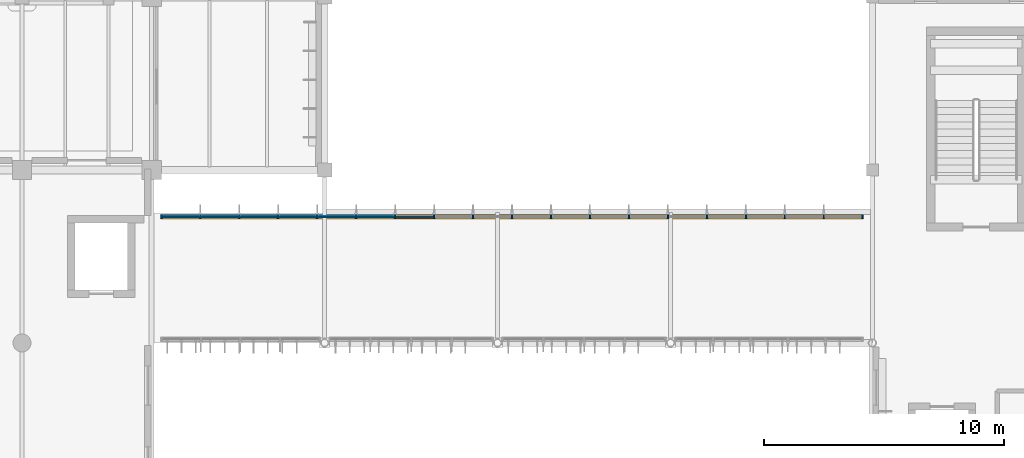
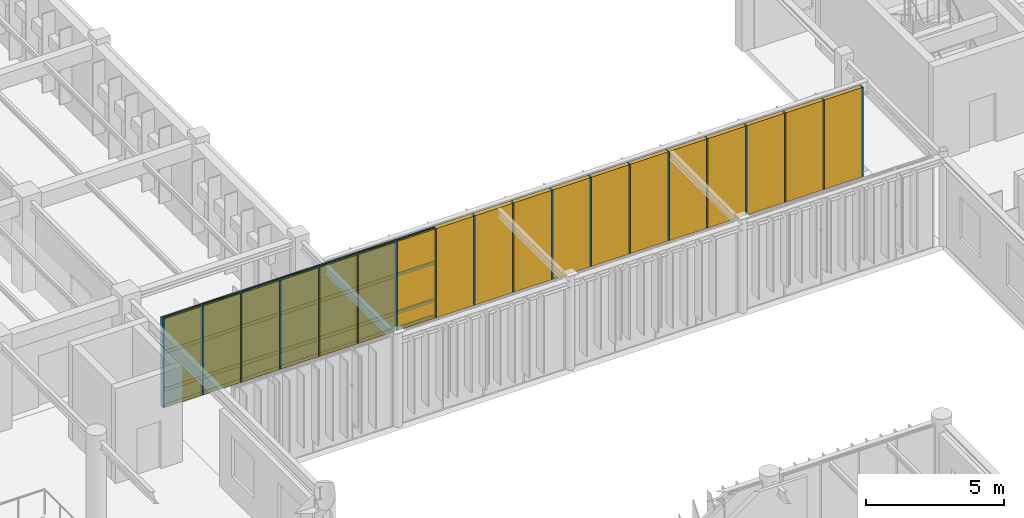
# One storey, part 91 of 122: 47 members, 18 plates, 1 curtain wall.
"""IFC4 building model written with IfcOpenShell, lengths in metres."""

from ifc_helpers import new_model, si_unit, direction, frame, frame_2d, origin, origin_2d, place, context, subcontext, project, spatial, rectangle, extrude, material, layer, layer_set, material_profile, profile_set, type_object, element, aggregate, save


model = new_model("IFC4")

# Units and contexts
model_context = context("Model", 3, precision=1e-05, world=origin(), true_north=direction((0.0, 1.0)))
body_context = subcontext(model_context, "Body", "Model", "MODEL_VIEW")
ifc_project = project(units=[si_unit("LENGTHUNIT", "METRE"), si_unit("AREAUNIT", "SQUARE_METRE"), si_unit("VOLUMEUNIT", "CUBIC_METRE"), si_unit("PLANEANGLEUNIT", "RADIAN"), si_unit("MASSUNIT", "GRAM", prefix="KILO")], contexts=[model_context])

# Member
ifc_material_1 = material(Name="Anodised Bronze Aluminium 6063-T6", Category="aluminium")
ifc_material_profile_1 = material_profile(ifc_material_1, rectangle(XDim=0.06005859375, YDim=0.179931640625, at=origin_2d()), Name="ALU MULLION 60x180")
ifc_profile_set_1 = profile_set([ifc_material_profile_1], Name="Anodised Bronze Aluminium 6063-T6")
member_type_1 = type_object("IfcMemberType", Name="Curtain-Wall Primary Mullion 60x180", PredefinedType="MULLION", material=ifc_profile_set_1)
site_placement = place(None, origin())
building_placement = place(site_placement, origin())
storey_placement = place(building_placement, frame((0.0, 0.0, 4.800048828125)))
member_1_placement = place(storey_placement, frame((95.800048828125, 49.85009765625, 0.0), z_axis=(0.0, 0.0, 1.0), x_axis=(1.0, 0.0, 0.0)))
member_1 = element("IfcMember", 1, at=member_1_placement, type_object=member_type_1, Name="Mullion CWM-01 CW-ELNK-N-L01-M01", PredefinedType="MULLION", context=body_context, shape_type="SweptSolid", body=[
    extrude(rectangle(XDim=0.06005859375, YDim=0.179931640625, at=origin_2d()), origin(), (0.0, 0.0, 1.0), 3.93994140625),
])

member_2_placement = place(storey_placement, frame((97.422119140625, 49.85009765625, 0.0), z_axis=(0.0, 0.0, 1.0), x_axis=(1.0, 0.0, 0.0)))
member_2 = element("IfcMember", 2, at=member_2_placement, type_object=member_type_1, Name="Mullion CWM-01 CW-ELNK-N-L01-M02", PredefinedType="MULLION", context=body_context, shape_type="SweptSolid", body=[
    extrude(rectangle(XDim=0.06005859375, YDim=0.179931640625, at=origin_2d()), origin(), (0.0, 0.0, 1.0), 3.93994140625),
])

member_3_placement = place(storey_placement, frame((99.04443359375, 49.85009765625, 0.0), z_axis=(0.0, 0.0, 1.0), x_axis=(1.0, 0.0, 0.0)))
member_3 = element("IfcMember", 3, at=member_3_placement, type_object=member_type_1, Name="Mullion CWM-01 CW-ELNK-N-L01-M03", PredefinedType="MULLION", context=body_context, shape_type="SweptSolid", body=[
    extrude(rectangle(XDim=0.06005859375, YDim=0.179931640625, at=origin_2d()), origin(), (0.0, 0.0, 1.0), 3.93994140625),
])

member_4_placement = place(storey_placement, frame((100.666748046875, 49.85009765625, 0.0), z_axis=(0.0, 0.0, 1.0), x_axis=(1.0, 0.0, 0.0)))
member_4 = element("IfcMember", 4, at=member_4_placement, type_object=member_type_1, Name="Mullion CWM-01 CW-ELNK-N-L01-M04", PredefinedType="MULLION", context=body_context, shape_type="SweptSolid", body=[
    extrude(rectangle(XDim=0.06005859375, YDim=0.179931640625, at=origin_2d()), origin(), (0.0, 0.0, 1.0), 3.93994140625),
])

member_5_placement = place(storey_placement, frame((102.288818359375, 49.85009765625, 0.0), z_axis=(0.0, 0.0, 1.0), x_axis=(1.0, 0.0, 0.0)))
member_5 = element("IfcMember", 5, at=member_5_placement, type_object=member_type_1, Name="Mullion CWM-01 CW-ELNK-N-L01-M05", PredefinedType="MULLION", context=body_context, shape_type="SweptSolid", body=[
    extrude(rectangle(XDim=0.06005859375, YDim=0.179931640625, at=origin_2d()), origin(), (0.0, 0.0, 1.0), 3.93994140625),
])

member_6_placement = place(storey_placement, frame((103.9111328125, 49.85009765625, 0.0), z_axis=(0.0, 0.0, 1.0), x_axis=(1.0, 0.0, 0.0)))
member_6 = element("IfcMember", 6, at=member_6_placement, type_object=member_type_1, Name="Mullion CWM-01 CW-ELNK-N-L01-M06", PredefinedType="MULLION", context=body_context, shape_type="SweptSolid", body=[
    extrude(rectangle(XDim=0.06005859375, YDim=0.179931640625, at=origin_2d()), origin(), (0.0, 0.0, 1.0), 3.93994140625),
])

member_7_placement = place(storey_placement, frame((105.533203125, 49.85009765625, 0.0), z_axis=(0.0, 0.0, 1.0), x_axis=(1.0, 0.0, 0.0)))
member_7 = element("IfcMember", 7, at=member_7_placement, type_object=member_type_1, Name="Mullion CWM-01 CW-ELNK-N-L01-M07", PredefinedType="MULLION", context=body_context, shape_type="SweptSolid", body=[
    extrude(rectangle(XDim=0.06005859375, YDim=0.179931640625, at=origin_2d()), origin(), (0.0, 0.0, 1.0), 3.93994140625),
])

member_8_placement = place(storey_placement, frame((107.155517578125, 49.85009765625, 0.0), z_axis=(0.0, 0.0, 1.0), x_axis=(1.0, 0.0, 0.0)))
member_8 = element("IfcMember", 8, at=member_8_placement, type_object=member_type_1, Name="Mullion CWM-01 CW-ELNK-N-L01-M08", PredefinedType="MULLION", context=body_context, shape_type="SweptSolid", body=[
    extrude(rectangle(XDim=0.06005859375, YDim=0.179931640625, at=origin_2d()), origin(), (0.0, 0.0, 1.0), 3.93994140625),
])

member_9_placement = place(storey_placement, frame((108.77783203125, 49.85009765625, 0.0), z_axis=(0.0, 0.0, 1.0), x_axis=(1.0, 0.0, 0.0)))
member_9 = element("IfcMember", 9, at=member_9_placement, type_object=member_type_1, Name="Mullion CWM-01 CW-ELNK-N-L01-M09", PredefinedType="MULLION", context=body_context, shape_type="SweptSolid", body=[
    extrude(rectangle(XDim=0.06005859375, YDim=0.179931640625, at=origin_2d()), origin(), (0.0, 0.0, 1.0), 3.93994140625),
])

member_10_placement = place(storey_placement, frame((110.39990234375, 49.85009765625, 0.0), z_axis=(0.0, 0.0, 1.0), x_axis=(1.0, 0.0, 0.0)))
member_10 = element("IfcMember", 10, at=member_10_placement, type_object=member_type_1, Name="Mullion CWM-01 CW-ELNK-N-L01-M10", PredefinedType="MULLION", context=body_context, shape_type="SweptSolid", body=[
    extrude(rectangle(XDim=0.06005859375, YDim=0.179931640625, at=origin_2d()), origin(), (0.0, 0.0, 1.0), 3.93994140625),
])

member_11_placement = place(storey_placement, frame((112.022216796875, 49.85009765625, 0.0), z_axis=(0.0, 0.0, 1.0), x_axis=(1.0, 0.0, 0.0)))
member_11 = element("IfcMember", 11, at=member_11_placement, type_object=member_type_1, Name="Mullion CWM-01 CW-ELNK-N-L01-M11", PredefinedType="MULLION", context=body_context, shape_type="SweptSolid", body=[
    extrude(rectangle(XDim=0.06005859375, YDim=0.179931640625, at=origin_2d()), origin(), (0.0, 0.0, 1.0), 3.93994140625),
])

member_12_placement = place(storey_placement, frame((113.644287109375, 49.85009765625, 0.0), z_axis=(0.0, 0.0, 1.0), x_axis=(1.0, 0.0, 0.0)))
member_12 = element("IfcMember", 12, at=member_12_placement, type_object=member_type_1, Name="Mullion CWM-01 CW-ELNK-N-L01-M12", PredefinedType="MULLION", context=body_context, shape_type="SweptSolid", body=[
    extrude(rectangle(XDim=0.06005859375, YDim=0.179931640625, at=origin_2d()), origin(), (0.0, 0.0, 1.0), 3.93994140625),
])

member_13_placement = place(storey_placement, frame((115.2666015625, 49.85009765625, 0.0), z_axis=(0.0, 0.0, 1.0), x_axis=(1.0, 0.0, 0.0)))
member_13 = element("IfcMember", 13, at=member_13_placement, type_object=member_type_1, Name="Mullion CWM-01 CW-ELNK-N-L01-M13", PredefinedType="MULLION", context=body_context, shape_type="SweptSolid", body=[
    extrude(rectangle(XDim=0.06005859375, YDim=0.179931640625, at=origin_2d()), origin(), (0.0, 0.0, 1.0), 3.93994140625),
])

member_14_placement = place(storey_placement, frame((116.888916015625, 49.85009765625, 0.0), z_axis=(0.0, 0.0, 1.0), x_axis=(1.0, 0.0, 0.0)))
member_14 = element("IfcMember", 14, at=member_14_placement, type_object=member_type_1, Name="Mullion CWM-01 CW-ELNK-N-L01-M14", PredefinedType="MULLION", context=body_context, shape_type="SweptSolid", body=[
    extrude(rectangle(XDim=0.06005859375, YDim=0.179931640625, at=origin_2d()), origin(), (0.0, 0.0, 1.0), 3.93994140625),
])

member_15_placement = place(storey_placement, frame((118.510986328125, 49.85009765625, 0.0), z_axis=(0.0, 0.0, 1.0), x_axis=(1.0, 0.0, 0.0)))
member_15 = element("IfcMember", 15, at=member_15_placement, type_object=member_type_1, Name="Mullion CWM-01 CW-ELNK-N-L01-M15", PredefinedType="MULLION", context=body_context, shape_type="SweptSolid", body=[
    extrude(rectangle(XDim=0.06005859375, YDim=0.179931640625, at=origin_2d()), origin(), (0.0, 0.0, 1.0), 3.93994140625),
])

member_16_placement = place(storey_placement, frame((120.13330078125, 49.85009765625, 0.0), z_axis=(0.0, 0.0, 1.0), x_axis=(1.0, 0.0, 0.0)))
member_16 = element("IfcMember", 16, at=member_16_placement, type_object=member_type_1, Name="Mullion CWM-01 CW-ELNK-N-L01-M16", PredefinedType="MULLION", context=body_context, shape_type="SweptSolid", body=[
    extrude(rectangle(XDim=0.06005859375, YDim=0.179931640625, at=origin_2d()), origin(), (0.0, 0.0, 1.0), 3.93994140625),
])

member_17_placement = place(storey_placement, frame((121.755615234375, 49.85009765625, 0.0), z_axis=(0.0, 0.0, 1.0), x_axis=(1.0, 0.0, 0.0)))
member_17 = element("IfcMember", 17, at=member_17_placement, type_object=member_type_1, Name="Mullion CWM-01 CW-ELNK-N-L01-M17", PredefinedType="MULLION", context=body_context, shape_type="SweptSolid", body=[
    extrude(rectangle(XDim=0.06005859375, YDim=0.179931640625, at=origin_2d()), origin(), (0.0, 0.0, 1.0), 3.93994140625),
])

member_18_placement = place(storey_placement, frame((123.377685546875, 49.85009765625, 0.0), z_axis=(0.0, 0.0, 1.0), x_axis=(1.0, 0.0, 0.0)))
member_18 = element("IfcMember", 18, at=member_18_placement, type_object=member_type_1, Name="Mullion CWM-01 CW-ELNK-N-L01-M18", PredefinedType="MULLION", context=body_context, shape_type="SweptSolid", body=[
    extrude(rectangle(XDim=0.06005859375, YDim=0.179931640625, at=origin_2d()), origin(), (0.0, 0.0, 1.0), 3.93994140625),
])

member_19_placement = place(storey_placement, frame((125.0, 49.85009765625, 0.0), z_axis=(0.0, 0.0, 1.0), x_axis=(1.0, 0.0, 0.0)))
member_19 = element("IfcMember", 19, at=member_19_placement, type_object=member_type_1, Name="Mullion CWM-01 CW-ELNK-N-L01-M19", PredefinedType="MULLION", context=body_context, shape_type="SweptSolid", body=[
    extrude(rectangle(XDim=0.06005859375, YDim=0.179931640625, at=origin_2d()), origin(), (0.0, 0.0, 1.0), 3.93994140625),
])

ifc_material_profile_2 = material_profile(ifc_material_1, rectangle(XDim=0.06005859375, YDim=0.139892578125, at=origin_2d()), Name="ALU TRANSOM 60x140")
ifc_profile_set_2 = profile_set([ifc_material_profile_2], Name="Anodised Bronze Aluminium 6063-T6")
member_type_2 = type_object("IfcMemberType", Name="Curtain-Wall Transom 60x140", PredefinedType="USERDEFINED", material=ifc_profile_set_2)
member_20_placement = place(storey_placement, frame((95.8349609375, 49.85009765625, 0.0400390625), z_axis=(1.0, 0.0, 0.0), x_axis=(0.0, 1.0, 0.0)))
member_20 = element("IfcMember", 20, at=member_20_placement, type_object=member_type_2, Name="Transom CWT-01 CW-ELNK-N-L01-T01.1", ObjectType="TRANSOM", PredefinedType="USERDEFINED", context=body_context, shape_type="SweptSolid", body=[
    extrude(rectangle(XDim=0.06005859375, YDim=0.139892578125, at=origin_2d()), origin(), (0.0, 0.0, 1.0), 1.55224609375),
])

member_21_placement = place(storey_placement, frame((95.8349609375, 49.85009765625, 0.75), z_axis=(1.0, 0.0, 0.0), x_axis=(0.0, 1.0, 0.0)))
member_21 = element("IfcMember", 21, at=member_21_placement, type_object=member_type_2, Name="Transom CWT-01 CW-ELNK-N-L01-T01.2", ObjectType="TRANSOM", PredefinedType="USERDEFINED", context=body_context, shape_type="SweptSolid", body=[
    extrude(rectangle(XDim=0.06005859375, YDim=0.139892578125, at=origin_2d()), origin(), (0.0, 0.0, 1.0), 1.55224609375),
])

member_22_placement = place(storey_placement, frame((95.8349609375, 49.85009765625, 2.40869140625), z_axis=(1.0, 0.0, 0.0), x_axis=(0.0, 1.0, 0.0)))
member_22 = element("IfcMember", 22, at=member_22_placement, type_object=member_type_2, Name="Transom CWT-01 CW-ELNK-N-L01-T01.3", ObjectType="TRANSOM", PredefinedType="USERDEFINED", context=body_context, shape_type="SweptSolid", body=[
    extrude(rectangle(XDim=0.06005859375, YDim=0.139892578125, at=origin_2d()), origin(), (0.0, 0.0, 1.0), 1.55224609375),
])

member_23_placement = place(storey_placement, frame((95.8349609375, 49.85009765625, 3.89990234375), z_axis=(1.0, 0.0, 0.0), x_axis=(0.0, 1.0, 0.0)))
member_23 = element("IfcMember", 23, at=member_23_placement, type_object=member_type_2, Name="Transom CWT-01 CW-ELNK-N-L01-T01.4", ObjectType="TRANSOM", PredefinedType="USERDEFINED", context=body_context, shape_type="SweptSolid", body=[
    extrude(rectangle(XDim=0.06005859375, YDim=0.139892578125, at=origin_2d()), origin(), (0.0, 0.0, 1.0), 1.55224609375),
])

member_24_placement = place(storey_placement, frame((97.457275390625, 49.85009765625, 0.0400390625), z_axis=(1.0, 0.0, 0.0), x_axis=(0.0, 1.0, 0.0)))
member_24 = element("IfcMember", 24, at=member_24_placement, type_object=member_type_2, Name="Transom CWT-01 CW-ELNK-N-L01-T02.1", ObjectType="TRANSOM", PredefinedType="USERDEFINED", context=body_context, shape_type="SweptSolid", body=[
    extrude(rectangle(XDim=0.06005859375, YDim=0.139892578125, at=origin_2d()), origin(), (0.0, 0.0, 1.0), 1.55224609375),
])

member_25_placement = place(storey_placement, frame((97.457275390625, 49.85009765625, 0.75), z_axis=(1.0, 0.0, 0.0), x_axis=(0.0, 1.0, 0.0)))
member_25 = element("IfcMember", 25, at=member_25_placement, type_object=member_type_2, Name="Transom CWT-01 CW-ELNK-N-L01-T02.2", ObjectType="TRANSOM", PredefinedType="USERDEFINED", context=body_context, shape_type="SweptSolid", body=[
    extrude(rectangle(XDim=0.06005859375, YDim=0.139892578125, at=origin_2d()), origin(), (0.0, 0.0, 1.0), 1.55224609375),
])

member_26_placement = place(storey_placement, frame((97.457275390625, 49.85009765625, 2.40869140625), z_axis=(1.0, 0.0, 0.0), x_axis=(0.0, 1.0, 0.0)))
member_26 = element("IfcMember", 26, at=member_26_placement, type_object=member_type_2, Name="Transom CWT-01 CW-ELNK-N-L01-T02.3", ObjectType="TRANSOM", PredefinedType="USERDEFINED", context=body_context, shape_type="SweptSolid", body=[
    extrude(rectangle(XDim=0.06005859375, YDim=0.139892578125, at=origin_2d()), origin(), (0.0, 0.0, 1.0), 1.55224609375),
])

member_27_placement = place(storey_placement, frame((97.457275390625, 49.85009765625, 3.89990234375), z_axis=(1.0, 0.0, 0.0), x_axis=(0.0, 1.0, 0.0)))
member_27 = element("IfcMember", 27, at=member_27_placement, type_object=member_type_2, Name="Transom CWT-01 CW-ELNK-N-L01-T02.4", ObjectType="TRANSOM", PredefinedType="USERDEFINED", context=body_context, shape_type="SweptSolid", body=[
    extrude(rectangle(XDim=0.06005859375, YDim=0.139892578125, at=origin_2d()), origin(), (0.0, 0.0, 1.0), 1.55224609375),
])

member_28_placement = place(storey_placement, frame((99.079345703125, 49.85009765625, 0.0400390625), z_axis=(1.0, 0.0, 0.0), x_axis=(0.0, 1.0, 0.0)))
member_28 = element("IfcMember", 28, at=member_28_placement, type_object=member_type_2, Name="Transom CWT-01 CW-ELNK-N-L01-T03.1", ObjectType="TRANSOM", PredefinedType="USERDEFINED", context=body_context, shape_type="SweptSolid", body=[
    extrude(rectangle(XDim=0.06005859375, YDim=0.139892578125, at=origin_2d()), origin(), (0.0, 0.0, 1.0), 1.55224609375),
])

member_29_placement = place(storey_placement, frame((99.079345703125, 49.85009765625, 0.75), z_axis=(1.0, 0.0, 0.0), x_axis=(0.0, 1.0, 0.0)))
member_29 = element("IfcMember", 29, at=member_29_placement, type_object=member_type_2, Name="Transom CWT-01 CW-ELNK-N-L01-T03.2", ObjectType="TRANSOM", PredefinedType="USERDEFINED", context=body_context, shape_type="SweptSolid", body=[
    extrude(rectangle(XDim=0.06005859375, YDim=0.139892578125, at=origin_2d()), origin(), (0.0, 0.0, 1.0), 1.55224609375),
])

member_30_placement = place(storey_placement, frame((99.079345703125, 49.85009765625, 2.40869140625), z_axis=(1.0, 0.0, 0.0), x_axis=(0.0, 1.0, 0.0)))
member_30 = element("IfcMember", 30, at=member_30_placement, type_object=member_type_2, Name="Transom CWT-01 CW-ELNK-N-L01-T03.3", ObjectType="TRANSOM", PredefinedType="USERDEFINED", context=body_context, shape_type="SweptSolid", body=[
    extrude(rectangle(XDim=0.06005859375, YDim=0.139892578125, at=origin_2d()), origin(), (0.0, 0.0, 1.0), 1.55224609375),
])

member_31_placement = place(storey_placement, frame((99.079345703125, 49.85009765625, 3.89990234375), z_axis=(1.0, 0.0, 0.0), x_axis=(0.0, 1.0, 0.0)))
member_31 = element("IfcMember", 31, at=member_31_placement, type_object=member_type_2, Name="Transom CWT-01 CW-ELNK-N-L01-T03.4", ObjectType="TRANSOM", PredefinedType="USERDEFINED", context=body_context, shape_type="SweptSolid", body=[
    extrude(rectangle(XDim=0.06005859375, YDim=0.139892578125, at=origin_2d()), origin(), (0.0, 0.0, 1.0), 1.55224609375),
])

member_32_placement = place(storey_placement, frame((100.70166015625, 49.85009765625, 0.0400390625), z_axis=(1.0, 0.0, 0.0), x_axis=(0.0, 1.0, 0.0)))
member_32 = element("IfcMember", 32, at=member_32_placement, type_object=member_type_2, Name="Transom CWT-01 CW-ELNK-N-L01-T04.1", ObjectType="TRANSOM", PredefinedType="USERDEFINED", context=body_context, shape_type="SweptSolid", body=[
    extrude(rectangle(XDim=0.06005859375, YDim=0.139892578125, at=origin_2d()), origin(), (0.0, 0.0, 1.0), 1.55224609375),
])

member_33_placement = place(storey_placement, frame((100.70166015625, 49.85009765625, 0.75), z_axis=(1.0, 0.0, 0.0), x_axis=(0.0, 1.0, 0.0)))
member_33 = element("IfcMember", 33, at=member_33_placement, type_object=member_type_2, Name="Transom CWT-01 CW-ELNK-N-L01-T04.2", ObjectType="TRANSOM", PredefinedType="USERDEFINED", context=body_context, shape_type="SweptSolid", body=[
    extrude(rectangle(XDim=0.06005859375, YDim=0.139892578125, at=origin_2d()), origin(), (0.0, 0.0, 1.0), 1.55224609375),
])

member_34_placement = place(storey_placement, frame((100.70166015625, 49.85009765625, 2.40869140625), z_axis=(1.0, 0.0, 0.0), x_axis=(0.0, 1.0, 0.0)))
member_34 = element("IfcMember", 34, at=member_34_placement, type_object=member_type_2, Name="Transom CWT-01 CW-ELNK-N-L01-T04.3", ObjectType="TRANSOM", PredefinedType="USERDEFINED", context=body_context, shape_type="SweptSolid", body=[
    extrude(rectangle(XDim=0.06005859375, YDim=0.139892578125, at=origin_2d()), origin(), (0.0, 0.0, 1.0), 1.55224609375),
])

member_35_placement = place(storey_placement, frame((100.70166015625, 49.85009765625, 3.89990234375), z_axis=(1.0, 0.0, 0.0), x_axis=(0.0, 1.0, 0.0)))
member_35 = element("IfcMember", 35, at=member_35_placement, type_object=member_type_2, Name="Transom CWT-01 CW-ELNK-N-L01-T04.4", ObjectType="TRANSOM", PredefinedType="USERDEFINED", context=body_context, shape_type="SweptSolid", body=[
    extrude(rectangle(XDim=0.06005859375, YDim=0.139892578125, at=origin_2d()), origin(), (0.0, 0.0, 1.0), 1.55224609375),
])

member_36_placement = place(storey_placement, frame((102.323974609375, 49.85009765625, 0.0400390625), z_axis=(1.0, 0.0, 0.0), x_axis=(0.0, 1.0, 0.0)))
member_36 = element("IfcMember", 36, at=member_36_placement, type_object=member_type_2, Name="Transom CWT-01 CW-ELNK-N-L01-T05.1", ObjectType="TRANSOM", PredefinedType="USERDEFINED", context=body_context, shape_type="SweptSolid", body=[
    extrude(rectangle(XDim=0.06005859375, YDim=0.139892578125, at=origin_2d()), origin(), (0.0, 0.0, 1.0), 1.55224609375),
])

member_37_placement = place(storey_placement, frame((102.323974609375, 49.85009765625, 0.75), z_axis=(1.0, 0.0, 0.0), x_axis=(0.0, 1.0, 0.0)))
member_37 = element("IfcMember", 37, at=member_37_placement, type_object=member_type_2, Name="Transom CWT-01 CW-ELNK-N-L01-T05.2", ObjectType="TRANSOM", PredefinedType="USERDEFINED", context=body_context, shape_type="SweptSolid", body=[
    extrude(rectangle(XDim=0.06005859375, YDim=0.139892578125, at=origin_2d()), origin(), (0.0, 0.0, 1.0), 1.55224609375),
])

member_38_placement = place(storey_placement, frame((102.323974609375, 49.85009765625, 2.40869140625), z_axis=(1.0, 0.0, 0.0), x_axis=(0.0, 1.0, 0.0)))
member_38 = element("IfcMember", 38, at=member_38_placement, type_object=member_type_2, Name="Transom CWT-01 CW-ELNK-N-L01-T05.3", ObjectType="TRANSOM", PredefinedType="USERDEFINED", context=body_context, shape_type="SweptSolid", body=[
    extrude(rectangle(XDim=0.06005859375, YDim=0.139892578125, at=origin_2d()), origin(), (0.0, 0.0, 1.0), 1.55224609375),
])

member_39_placement = place(storey_placement, frame((102.323974609375, 49.85009765625, 3.89990234375), z_axis=(1.0, 0.0, 0.0), x_axis=(0.0, 1.0, 0.0)))
member_39 = element("IfcMember", 39, at=member_39_placement, type_object=member_type_2, Name="Transom CWT-01 CW-ELNK-N-L01-T05.4", ObjectType="TRANSOM", PredefinedType="USERDEFINED", context=body_context, shape_type="SweptSolid", body=[
    extrude(rectangle(XDim=0.06005859375, YDim=0.139892578125, at=origin_2d()), origin(), (0.0, 0.0, 1.0), 1.55224609375),
])

member_40_placement = place(storey_placement, frame((103.946044921875, 49.85009765625, 0.0400390625), z_axis=(1.0, 0.0, 0.0), x_axis=(0.0, 1.0, 0.0)))
member_40 = element("IfcMember", 40, at=member_40_placement, type_object=member_type_2, Name="Transom CWT-01 CW-ELNK-N-L01-T06.1", ObjectType="TRANSOM", PredefinedType="USERDEFINED", context=body_context, shape_type="SweptSolid", body=[
    extrude(rectangle(XDim=0.06005859375, YDim=0.139892578125, at=origin_2d()), origin(), (0.0, 0.0, 1.0), 1.55224609375),
])

member_41_placement = place(storey_placement, frame((103.946044921875, 49.85009765625, 0.75), z_axis=(1.0, 0.0, 0.0), x_axis=(0.0, 1.0, 0.0)))
member_41 = element("IfcMember", 41, at=member_41_placement, type_object=member_type_2, Name="Transom CWT-01 CW-ELNK-N-L01-T06.2", ObjectType="TRANSOM", PredefinedType="USERDEFINED", context=body_context, shape_type="SweptSolid", body=[
    extrude(rectangle(XDim=0.06005859375, YDim=0.139892578125, at=origin_2d()), origin(), (0.0, 0.0, 1.0), 1.55224609375),
])

member_42_placement = place(storey_placement, frame((103.946044921875, 49.85009765625, 2.40869140625), z_axis=(1.0, 0.0, 0.0), x_axis=(0.0, 1.0, 0.0)))
member_42 = element("IfcMember", 42, at=member_42_placement, type_object=member_type_2, Name="Transom CWT-01 CW-ELNK-N-L01-T06.3", ObjectType="TRANSOM", PredefinedType="USERDEFINED", context=body_context, shape_type="SweptSolid", body=[
    extrude(rectangle(XDim=0.06005859375, YDim=0.139892578125, at=origin_2d()), origin(), (0.0, 0.0, 1.0), 1.55224609375),
])

member_43_placement = place(storey_placement, frame((103.946044921875, 49.85009765625, 3.89990234375), z_axis=(1.0, 0.0, 0.0), x_axis=(0.0, 1.0, 0.0)))
member_43 = element("IfcMember", 43, at=member_43_placement, type_object=member_type_2, Name="Transom CWT-01 CW-ELNK-N-L01-T06.4", ObjectType="TRANSOM", PredefinedType="USERDEFINED", context=body_context, shape_type="SweptSolid", body=[
    extrude(rectangle(XDim=0.06005859375, YDim=0.139892578125, at=origin_2d()), origin(), (0.0, 0.0, 1.0), 1.55224609375),
])

member_44_placement = place(storey_placement, frame((105.568359375, 49.85009765625, 0.0400390625), z_axis=(1.0, 0.0, 0.0), x_axis=(0.0, 1.0, 0.0)))
member_44 = element("IfcMember", 44, at=member_44_placement, type_object=member_type_2, Name="Transom CWT-01 CW-ELNK-N-L01-T07.1", ObjectType="TRANSOM", PredefinedType="USERDEFINED", context=body_context, shape_type="SweptSolid", body=[
    extrude(rectangle(XDim=0.06005859375, YDim=0.139892578125, at=origin_2d()), origin(), (0.0, 0.0, 1.0), 1.55224609375),
])

member_45_placement = place(storey_placement, frame((105.568359375, 49.85009765625, 0.75), z_axis=(1.0, 0.0, 0.0), x_axis=(0.0, 1.0, 0.0)))
member_45 = element("IfcMember", 45, at=member_45_placement, type_object=member_type_2, Name="Transom CWT-01 CW-ELNK-N-L01-T07.2", ObjectType="TRANSOM", PredefinedType="USERDEFINED", context=body_context, shape_type="SweptSolid", body=[
    extrude(rectangle(XDim=0.06005859375, YDim=0.139892578125, at=origin_2d()), origin(), (0.0, 0.0, 1.0), 1.55224609375),
])

member_46_placement = place(storey_placement, frame((105.568359375, 49.85009765625, 2.40869140625), z_axis=(1.0, 0.0, 0.0), x_axis=(0.0, 1.0, 0.0)))
member_46 = element("IfcMember", 46, at=member_46_placement, type_object=member_type_2, Name="Transom CWT-01 CW-ELNK-N-L01-T07.3", ObjectType="TRANSOM", PredefinedType="USERDEFINED", context=body_context, shape_type="SweptSolid", body=[
    extrude(rectangle(XDim=0.06005859375, YDim=0.139892578125, at=origin_2d()), origin(), (0.0, 0.0, 1.0), 1.55224609375),
])

member_47_placement = place(storey_placement, frame((105.568359375, 49.85009765625, 3.89990234375), z_axis=(1.0, 0.0, 0.0), x_axis=(0.0, 1.0, 0.0)))
member_47 = element("IfcMember", 47, at=member_47_placement, type_object=member_type_2, Name="Transom CWT-01 CW-ELNK-N-L01-T07.4", ObjectType="TRANSOM", PredefinedType="USERDEFINED", context=body_context, shape_type="SweptSolid", body=[
    extrude(rectangle(XDim=0.06005859375, YDim=0.139892578125, at=origin_2d()), origin(), (0.0, 0.0, 1.0), 1.55224609375),
])

# Plate
ifc_material_2 = material(Name="Insulated Bronze Aluminium Spandrel Panel", Category="aluminium")
ifc_layer_1 = layer(ifc_material_2, 0.050048828125, Name="Insulated Bronze Aluminium Spandrel Panel")
ifc_layer_set_1 = layer_set([ifc_layer_1], Name="Insulated Bronze Aluminium Spandrel Panel")
plate_type_1 = type_object("IfcPlateType", Name="Insulated Anodised Aluminium Spandrel Cassette 50", PredefinedType="CURTAIN_PANEL", material=ifc_layer_set_1)
plate_1_placement = place(storey_placement, frame((96.611083984375, 49.85009765625, 0.070068359375), z_axis=(0.0, 0.0, 1.0), x_axis=(1.0, 0.0, 0.0)))
plate_1 = element("IfcPlate", 48, at=plate_1_placement, type_object=plate_type_1, Name="Curtain Panel CWP-03 CW-ELNK-N-L01-P01.1", PredefinedType="CURTAIN_PANEL", context=body_context, shape_type="SweptSolid", body=[
    extrude(rectangle(XDim=1.55224609375, YDim=0.050048828125, at=origin_2d()), origin(), (0.0, 0.0, 1.0), 0.64990234375),
])

plate_2_placement = place(storey_placement, frame((98.2333984375, 49.85009765625, 0.070068359375), z_axis=(0.0, 0.0, 1.0), x_axis=(1.0, 0.0, 0.0)))
plate_2 = element("IfcPlate", 49, at=plate_2_placement, type_object=plate_type_1, Name="Curtain Panel CWP-03 CW-ELNK-N-L01-P02.1", PredefinedType="CURTAIN_PANEL", context=body_context, shape_type="SweptSolid", body=[
    extrude(rectangle(XDim=1.55224609375, YDim=0.050048828125, at=origin_2d()), origin(), (0.0, 0.0, 1.0), 0.64990234375),
])

plate_3_placement = place(storey_placement, frame((99.855712890625, 49.85009765625, 0.070068359375), z_axis=(0.0, 0.0, 1.0), x_axis=(1.0, 0.0, 0.0)))
plate_3 = element("IfcPlate", 50, at=plate_3_placement, type_object=plate_type_1, Name="Curtain Panel CWP-03 CW-ELNK-N-L01-P03.1", PredefinedType="CURTAIN_PANEL", context=body_context, shape_type="SweptSolid", body=[
    extrude(rectangle(XDim=1.55224609375, YDim=0.050048828125, at=origin_2d()), origin(), (0.0, 0.0, 1.0), 0.64990234375),
])

plate_4_placement = place(storey_placement, frame((101.477783203125, 49.85009765625, 0.070068359375), z_axis=(0.0, 0.0, 1.0), x_axis=(1.0, 0.0, 0.0)))
plate_4 = element("IfcPlate", 51, at=plate_4_placement, type_object=plate_type_1, Name="Curtain Panel CWP-03 CW-ELNK-N-L01-P04.1", PredefinedType="CURTAIN_PANEL", context=body_context, shape_type="SweptSolid", body=[
    extrude(rectangle(XDim=1.55224609375, YDim=0.050048828125, at=origin_2d()), origin(), (0.0, 0.0, 1.0), 0.64990234375),
])

plate_5_placement = place(storey_placement, frame((103.10009765625, 49.85009765625, 0.070068359375), z_axis=(0.0, 0.0, 1.0), x_axis=(1.0, 0.0, 0.0)))
plate_5 = element("IfcPlate", 52, at=plate_5_placement, type_object=plate_type_1, Name="Curtain Panel CWP-03 CW-ELNK-N-L01-P05.1", PredefinedType="CURTAIN_PANEL", context=body_context, shape_type="SweptSolid", body=[
    extrude(rectangle(XDim=1.55224609375, YDim=0.050048828125, at=origin_2d()), origin(), (0.0, 0.0, 1.0), 0.64990234375),
])

plate_6_placement = place(storey_placement, frame((104.72216796875, 49.85009765625, 0.070068359375), z_axis=(0.0, 0.0, 1.0), x_axis=(1.0, 0.0, 0.0)))
plate_6 = element("IfcPlate", 53, at=plate_6_placement, type_object=plate_type_1, Name="Curtain Panel CWP-03 CW-ELNK-N-L01-P06.1", PredefinedType="CURTAIN_PANEL", context=body_context, shape_type="SweptSolid", body=[
    extrude(rectangle(XDim=1.55224609375, YDim=0.050048828125, at=origin_2d()), origin(), (0.0, 0.0, 1.0), 0.64990234375),
])

ifc_material_3 = material(Name="Solar-Control Tempered Double Glazing", Category="glass")
ifc_layer_2 = layer(ifc_material_3, 0.0380859375, Name="Solar-Control Tempered Double Glazing")
ifc_layer_set_2 = layer_set([ifc_layer_2], Name="Solar-Control Tempered Double Glazing")
plate_type_2 = type_object("IfcPlateType", Name="Solar-Control Vision Glazing Unit 38", PredefinedType="CURTAIN_PANEL", material=ifc_layer_set_2)
plate_7_placement = place(storey_placement, frame((96.611083984375, 49.85009765625, 0.77978515625), z_axis=(0.0, 0.0, 1.0), x_axis=(1.0, 0.0, 0.0)))
plate_7 = element("IfcPlate", 54, at=plate_7_placement, type_object=plate_type_2, Name="Curtain Panel CWP-02 CW-ELNK-N-L01-P01.2", PredefinedType="CURTAIN_PANEL", context=body_context, shape_type="SweptSolid", body=[
    extrude(rectangle(XDim=1.55224609375, YDim=0.0380859375, at=origin_2d()), origin(), (0.0, 0.0, 1.0), 1.598876953125),
])

plate_8_placement = place(storey_placement, frame((96.611083984375, 49.85009765625, 2.438720703125), z_axis=(0.0, 0.0, 1.0), x_axis=(1.0, 0.0, 0.0)))
plate_8 = element("IfcPlate", 55, at=plate_8_placement, type_object=plate_type_2, Name="Curtain Panel CWP-02 CW-ELNK-N-L01-P01.3", PredefinedType="CURTAIN_PANEL", context=body_context, shape_type="SweptSolid", body=[
    extrude(rectangle(XDim=1.55224609375, YDim=0.0380859375, at=origin_2d()), origin(), (0.0, 0.0, 1.0), 1.43115234375),
])

plate_9_placement = place(storey_placement, frame((98.2333984375, 49.85009765625, 0.77978515625), z_axis=(0.0, 0.0, 1.0), x_axis=(1.0, 0.0, 0.0)))
plate_9 = element("IfcPlate", 56, at=plate_9_placement, type_object=plate_type_2, Name="Curtain Panel CWP-02 CW-ELNK-N-L01-P02.2", PredefinedType="CURTAIN_PANEL", context=body_context, shape_type="SweptSolid", body=[
    extrude(rectangle(XDim=1.55224609375, YDim=0.0380859375, at=origin_2d()), origin(), (0.0, 0.0, 1.0), 1.598876953125),
])

plate_10_placement = place(storey_placement, frame((98.2333984375, 49.85009765625, 2.438720703125), z_axis=(0.0, 0.0, 1.0), x_axis=(1.0, 0.0, 0.0)))
plate_10 = element("IfcPlate", 57, at=plate_10_placement, type_object=plate_type_2, Name="Curtain Panel CWP-02 CW-ELNK-N-L01-P02.3", PredefinedType="CURTAIN_PANEL", context=body_context, shape_type="SweptSolid", body=[
    extrude(rectangle(XDim=1.55224609375, YDim=0.0380859375, at=origin_2d()), origin(), (0.0, 0.0, 1.0), 1.43115234375),
])

plate_11_placement = place(storey_placement, frame((99.855712890625, 49.85009765625, 0.77978515625), z_axis=(0.0, 0.0, 1.0), x_axis=(1.0, 0.0, 0.0)))
plate_11 = element("IfcPlate", 58, at=plate_11_placement, type_object=plate_type_2, Name="Curtain Panel CWP-02 CW-ELNK-N-L01-P03.2", PredefinedType="CURTAIN_PANEL", context=body_context, shape_type="SweptSolid", body=[
    extrude(rectangle(XDim=1.55224609375, YDim=0.0380859375, at=origin_2d()), origin(), (0.0, 0.0, 1.0), 1.598876953125),
])

plate_12_placement = place(storey_placement, frame((99.855712890625, 49.85009765625, 2.438720703125), z_axis=(0.0, 0.0, 1.0), x_axis=(1.0, 0.0, 0.0)))
plate_12 = element("IfcPlate", 59, at=plate_12_placement, type_object=plate_type_2, Name="Curtain Panel CWP-02 CW-ELNK-N-L01-P03.3", PredefinedType="CURTAIN_PANEL", context=body_context, shape_type="SweptSolid", body=[
    extrude(rectangle(XDim=1.55224609375, YDim=0.0380859375, at=origin_2d()), origin(), (0.0, 0.0, 1.0), 1.43115234375),
])

plate_13_placement = place(storey_placement, frame((101.477783203125, 49.85009765625, 0.77978515625), z_axis=(0.0, 0.0, 1.0), x_axis=(1.0, 0.0, 0.0)))
plate_13 = element("IfcPlate", 60, at=plate_13_placement, type_object=plate_type_2, Name="Curtain Panel CWP-02 CW-ELNK-N-L01-P04.2", PredefinedType="CURTAIN_PANEL", context=body_context, shape_type="SweptSolid", body=[
    extrude(rectangle(XDim=1.55224609375, YDim=0.0380859375, at=origin_2d()), origin(), (0.0, 0.0, 1.0), 1.598876953125),
])

plate_14_placement = place(storey_placement, frame((101.477783203125, 49.85009765625, 2.438720703125), z_axis=(0.0, 0.0, 1.0), x_axis=(1.0, 0.0, 0.0)))
plate_14 = element("IfcPlate", 61, at=plate_14_placement, type_object=plate_type_2, Name="Curtain Panel CWP-02 CW-ELNK-N-L01-P04.3", PredefinedType="CURTAIN_PANEL", context=body_context, shape_type="SweptSolid", body=[
    extrude(rectangle(XDim=1.55224609375, YDim=0.0380859375, at=origin_2d()), origin(), (0.0, 0.0, 1.0), 1.43115234375),
])

plate_15_placement = place(storey_placement, frame((103.10009765625, 49.85009765625, 0.77978515625), z_axis=(0.0, 0.0, 1.0), x_axis=(1.0, 0.0, 0.0)))
plate_15 = element("IfcPlate", 62, at=plate_15_placement, type_object=plate_type_2, Name="Curtain Panel CWP-02 CW-ELNK-N-L01-P05.2", PredefinedType="CURTAIN_PANEL", context=body_context, shape_type="SweptSolid", body=[
    extrude(rectangle(XDim=1.55224609375, YDim=0.0380859375, at=origin_2d()), origin(), (0.0, 0.0, 1.0), 1.598876953125),
])

plate_16_placement = place(storey_placement, frame((103.10009765625, 49.85009765625, 2.438720703125), z_axis=(0.0, 0.0, 1.0), x_axis=(1.0, 0.0, 0.0)))
plate_16 = element("IfcPlate", 63, at=plate_16_placement, type_object=plate_type_2, Name="Curtain Panel CWP-02 CW-ELNK-N-L01-P05.3", PredefinedType="CURTAIN_PANEL", context=body_context, shape_type="SweptSolid", body=[
    extrude(rectangle(XDim=1.55224609375, YDim=0.0380859375, at=origin_2d()), origin(), (0.0, 0.0, 1.0), 1.43115234375),
])

plate_17_placement = place(storey_placement, frame((104.72216796875, 49.85009765625, 0.77978515625), z_axis=(0.0, 0.0, 1.0), x_axis=(1.0, 0.0, 0.0)))
plate_17 = element("IfcPlate", 64, at=plate_17_placement, type_object=plate_type_2, Name="Curtain Panel CWP-02 CW-ELNK-N-L01-P06.2", PredefinedType="CURTAIN_PANEL", context=body_context, shape_type="SweptSolid", body=[
    extrude(rectangle(XDim=1.55224609375, YDim=0.0380859375, at=origin_2d()), origin(), (0.0, 0.0, 1.0), 1.598876953125),
])

plate_18_placement = place(storey_placement, frame((104.72216796875, 49.85009765625, 2.438720703125), z_axis=(0.0, 0.0, 1.0), x_axis=(1.0, 0.0, 0.0)))
plate_18 = element("IfcPlate", 65, at=plate_18_placement, type_object=plate_type_2, Name="Curtain Panel CWP-02 CW-ELNK-N-L01-P06.3", PredefinedType="CURTAIN_PANEL", context=body_context, shape_type="SweptSolid", body=[
    extrude(rectangle(XDim=1.55224609375, YDim=0.0380859375, at=origin_2d()), origin(), (0.0, 0.0, 1.0), 1.43115234375),
])

# Site, building, storey
site = spatial("IfcSite", under=ifc_project, at=site_placement, CompositionType="ELEMENT")
building = spatial("IfcBuilding", under=site, at=building_placement, Name="Tazoul Stagehouse", CompositionType="ELEMENT")
storey = spatial("IfcBuildingStorey", under=building, at=storey_placement, Name="L01", CompositionType="ELEMENT", Elevation=4.800048828125)

# Curtain wall
curtain_wall_type = type_object("IfcCurtainWallType", Name="Atrium Clerestory Glazed Wall", PredefinedType="NOTDEFINED", material=ifc_material_1)
curtain_wall_placement = place(storey_placement, frame((95.800048828125, 49.85009765625, 0.0), z_axis=(0.0, 0.0, 1.0), x_axis=(1.0, 0.0, 0.0)))
curtain_wall = element("IfcCurtainWall", 66, at=curtain_wall_placement, inside=storey, type_object=curtain_wall_type, Name="L01 Curtain Wall CW-05 (CW-ELNK-N-L01)", PredefinedType="NOTDEFINED", context=body_context, shape_type="SweptSolid", body=[
    extrude(rectangle(XDim=29.199951171875, YDim=0.179931640625, at=frame_2d((14.60009765625, 0.0))), origin(), (0.0, 0.0, 1.0), 3.93994140625),
])

aggregate(curtain_wall, [member_1, member_2, member_3, member_4, member_5, member_6, member_7, member_8, member_9, member_10, member_11, member_12, member_13, member_14, member_15, member_16, member_17, member_18, member_19, member_20, member_21, member_22, member_23, plate_1, plate_7, plate_8, member_24, member_25, member_26, member_27, plate_2, plate_9, plate_10, member_28, member_29, member_30, member_31, plate_3, plate_11, plate_12, member_32, member_33, member_34, member_35, plate_4, plate_13, plate_14, member_36, member_37, member_38, member_39, plate_5, plate_15, plate_16, member_40, member_41, member_42, member_43, plate_6, plate_17, plate_18, member_44, member_45, member_46, member_47])

save(model, "model.ifc")
